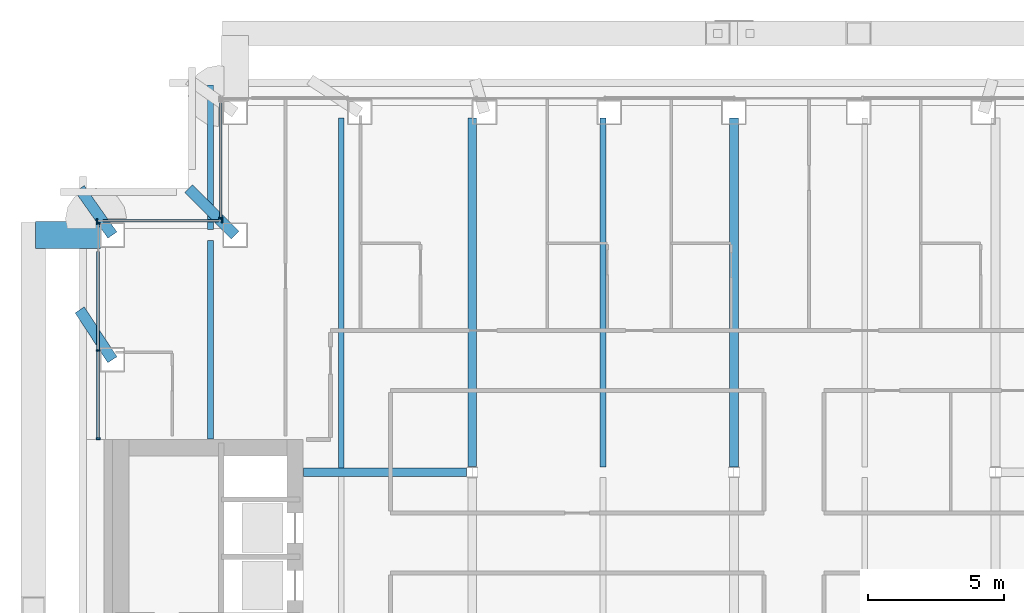
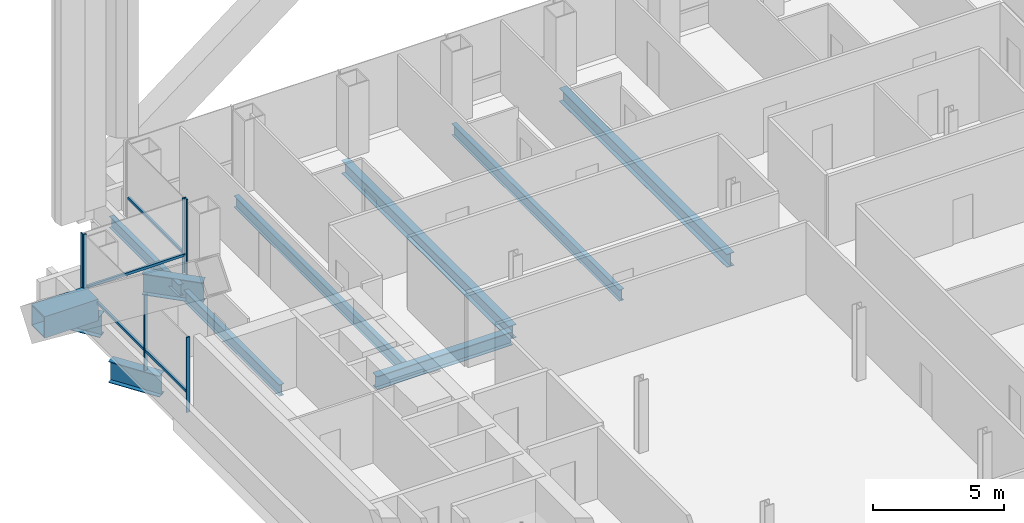
# One storey, part 7 of 22: 11 beams, 10 members, 3 elements without a shape of their own.
"""IFC4 building model written with IfcOpenShell, lengths in metres."""

from ifc_helpers import new_model, si_unit, direction, frame, origin, origin_2d, place, context, subcontext, project, spatial, rectangle, hollow_rectangle, i_section, extrude, material, material_profile, profile_set, type_object, element, aggregate, save


model = new_model("IFC4")

# Units and contexts
model_context = context("Model", 3, precision=1e-05, world=origin(), true_north=direction((0.0, 1.0)))
body_context = subcontext(model_context, "Body", "Model", "MODEL_VIEW")
ifc_project = project(units=[si_unit("LENGTHUNIT", "METRE"), si_unit("AREAUNIT", "SQUARE_METRE"), si_unit("VOLUMEUNIT", "CUBIC_METRE"), si_unit("PLANEANGLEUNIT", "RADIAN"), si_unit("MASSUNIT", "GRAM", prefix="KILO")], contexts=[model_context])

# Site, building, storey
site_placement = place(None, origin())
site = spatial("IfcSite", under=ifc_project, at=site_placement, CompositionType="ELEMENT")
building_placement = place(site_placement, origin())
building = spatial("IfcBuilding", under=site, at=building_placement, Name="Cobrizo Arcos Hotel Tower", CompositionType="ELEMENT")
storey_placement = place(building_placement, frame((0.0, 0.0, 89.0)))
storey = spatial("IfcBuildingStorey", under=building, at=storey_placement, Name="L21", CompositionType="ELEMENT", Elevation=89.0)

# Beam
ifc_material_1 = material(Name="Steel ASTM A572 Grade 50", Category="steel")
ifc_material_profile_1 = material_profile(ifc_material_1, hollow_rectangle(XDim=1.0, YDim=1.0, WallThickness=0.06005859375, at=origin_2d()), Name="BOX 1000X1000X60")
ifc_profile_set_1 = profile_set([ifc_material_profile_1], Name="Steel ASTM A572 Grade 50")
beam_type_1 = type_object("IfcBeamType", Name="BOX 1000X1000X60 brace connector strut", PredefinedType="BEAM", material=ifc_profile_set_1)
beam_1_placement = place(storey_placement, frame((-23.239990234375, 18.300048828125, 0.5), z_axis=(-1.0, 0.0, 0.0), x_axis=(0.0, -1.0, 0.0)))
element("IfcBeam", 1, at=beam_1_placement, inside=storey, type_object=beam_type_1, Name="Perimeter brace stub BS1, zone Z2, west face, offset +18.30 m, L21", PredefinedType="BEAM", context=body_context, shape_type="SweptSolid", body=[
    extrude(hollow_rectangle(XDim=1.0, YDim=1.0, WallThickness=0.06005859375, at=origin_2d()), origin(), (0.0, 0.0, 1.0), 2.380126953125),
])

# Curtain wall, member
ifc_material_2 = material(Name="Aluminium 6063-T6 anodised bronze", Category="aluminium")
curtain_wall_type = type_object("IfcCurtainWallType", Name="CW-A guest facade", PredefinedType="NOTDEFINED", material=ifc_material_2)
curtain_wall_1_placement = place(storey_placement, origin())
curtain_wall_1 = element("IfcCurtainWall", 2, at=curtain_wall_1_placement, inside=storey, type_object=curtain_wall_type, Name="CW-A L21 W face", PredefinedType="NOTDEFINED")
ifc_material_profile_2 = material_profile(ifc_material_2, rectangle(XDim=0.14990234375, YDim=0.06005859375, at=origin_2d()), Name="CW-A mullion 150x60")
ifc_profile_set_2 = profile_set([ifc_material_profile_2], Name="Aluminium 6063-T6 anodised bronze")
member_type_1 = type_object("IfcMemberType", Name="CW-A mullion 150x60", PredefinedType="MULLION", material=ifc_profile_set_2)
member_1_placement = place(storey_placement, frame((-18.824951171875, 18.929931640625, 0.0), z_axis=(0.0, 0.0, 1.0), x_axis=(-1.0, 0.0, 0.0)))
member_1 = element("IfcMember", 3, at=member_1_placement, type_object=member_type_1, Name="CW-A mullion 2", PredefinedType="MULLION", context=body_context, shape_type="SweptSolid", body=[
    extrude(rectangle(XDim=0.14990234375, YDim=0.06005859375, at=origin_2d()), origin(), (0.0, 0.0, 1.0), 3.5),
])

# Curtain wall, members
curtain_wall_2_placement = place(storey_placement, origin())
curtain_wall_2 = element("IfcCurtainWall", 4, at=curtain_wall_2_placement, inside=storey, type_object=curtain_wall_type, Name="CW-A L21 N face", PredefinedType="NOTDEFINED")
member_2_placement = place(storey_placement, frame((-18.780029296875, 18.824951171875, 0.0), z_axis=(0.0, 0.0, 1.0), x_axis=(0.0, 1.0, 0.0)))
member_2 = element("IfcMember", 5, at=member_2_placement, type_object=member_type_1, Name="CW-A mullion 1", PredefinedType="MULLION", context=body_context, shape_type="SweptSolid", body=[
    extrude(rectangle(XDim=0.14990234375, YDim=0.06005859375, at=origin_2d()), origin(), (0.0, 0.0, 1.0), 3.5),
])
member_3_placement = place(storey_placement, frame((-23.3701171875, 18.824951171875, 0.0), z_axis=(0.0, 0.0, 1.0), x_axis=(0.0, 1.0, 0.0)))
member_3 = element("IfcMember", 6, at=member_3_placement, type_object=member_type_1, Name="CW-A mullion 2", PredefinedType="MULLION", context=body_context, shape_type="SweptSolid", body=[
    extrude(rectangle(XDim=0.14990234375, YDim=0.06005859375, at=origin_2d()), origin(), (0.0, 0.0, 1.0), 3.5),
])

curtain_wall_3_placement = place(storey_placement, origin())
curtain_wall_3 = element("IfcCurtainWall", 7, at=curtain_wall_3_placement, inside=storey, type_object=curtain_wall_type, Name="CW-A L21 W face", PredefinedType="NOTDEFINED")
member_4_placement = place(storey_placement, frame((-23.324951171875, 18.719970703125, 0.0), z_axis=(0.0, 0.0, 1.0), x_axis=(-1.0, 0.0, 0.0)))
member_4 = element("IfcMember", 8, at=member_4_placement, type_object=member_type_1, Name="CW-A mullion 1", PredefinedType="MULLION", context=body_context, shape_type="SweptSolid", body=[
    extrude(rectangle(XDim=0.14990234375, YDim=0.06005859375, at=origin_2d()), origin(), (0.0, 0.0, 1.0), 3.5),
])
member_5_placement = place(storey_placement, frame((-23.324951171875, 14.0625, 0.0), z_axis=(0.0, 0.0, 1.0), x_axis=(-1.0, 0.0, 0.0)))
member_5 = element("IfcMember", 9, at=member_5_placement, type_object=member_type_1, Name="CW-A mullion 2", PredefinedType="MULLION", context=body_context, shape_type="SweptSolid", body=[
    extrude(rectangle(XDim=0.14990234375, YDim=0.06005859375, at=origin_2d()), origin(), (0.0, 0.0, 1.0), 3.5),
])
member_6_placement = place(storey_placement, frame((-23.324951171875, 10.830078125, 0.0), z_axis=(0.0, 0.0, 1.0), x_axis=(-1.0, 0.0, 0.0)))
member_6 = element("IfcMember", 10, at=member_6_placement, type_object=member_type_1, Name="CW-A mullion 3", PredefinedType="MULLION", context=body_context, shape_type="SweptSolid", body=[
    extrude(rectangle(XDim=0.14990234375, YDim=0.06005859375, at=origin_2d()), origin(), (0.0, 0.0, 1.0), 3.5),
])

# Member
ifc_material_profile_3 = material_profile(ifc_material_2, rectangle(XDim=0.10009765625, YDim=0.1201171875, at=origin_2d()), Name="CW-A transom 120x100")
ifc_profile_set_3 = profile_set([ifc_material_profile_3], Name="Aluminium 6063-T6 anodised bronze")
member_type_2 = type_object("IfcMemberType", Name="CW-A transom 120x100", PredefinedType="USERDEFINED", material=ifc_profile_set_3)
member_7_placement = place(storey_placement, frame((-18.824951171875, 23.139892578125, 0.929931640625), z_axis=(0.0, -1.0, 0.0), x_axis=(1.0, 0.0, 0.0)))
member_7 = element("IfcMember", 11, at=member_7_placement, type_object=member_type_2, Name="CW-A transom 875", ObjectType="TRANSOM", PredefinedType="USERDEFINED", context=body_context, shape_type="SweptSolid", body=[
    extrude(rectangle(XDim=0.10009765625, YDim=0.1201171875, at=origin_2d()), origin(), (0.0, 0.0, 1.0), 4.179931640625),
])

aggregate(curtain_wall_1, [member_1, member_7])

member_8_placement = place(storey_placement, frame((-18.89990234375, 18.824951171875, 0.929931640625), z_axis=(-1.0, 0.0, 0.0), x_axis=(0.0, -1.0, 0.0)))
member_8 = element("IfcMember", 12, at=member_8_placement, type_object=member_type_2, Name="CW-A transom 876", ObjectType="TRANSOM", PredefinedType="USERDEFINED", context=body_context, shape_type="SweptSolid", body=[
    extrude(rectangle(XDim=0.10009765625, YDim=0.1201171875, at=origin_2d()), origin(), (0.0, 0.0, 1.0), 4.239990234375),
])

aggregate(curtain_wall_2, [member_2, member_3, member_8])

member_9_placement = place(storey_placement, frame((-23.324951171875, 17.699951171875, 0.929931640625), z_axis=(0.0, -1.0, 0.0), x_axis=(1.0, 0.0, 0.0)))
member_9 = element("IfcMember", 13, at=member_9_placement, type_object=member_type_2, Name="CW-A transom 877", ObjectType="TRANSOM", PredefinedType="USERDEFINED", context=body_context, shape_type="SweptSolid", body=[
    extrude(rectangle(XDim=0.10009765625, YDim=0.1201171875, at=origin_2d()), origin(), (0.0, 0.0, 1.0), 3.607421875),
])

member_10_placement = place(storey_placement, frame((-23.324951171875, 14.032470703125, 0.929931640625), z_axis=(0.0, -1.0, 0.0), x_axis=(1.0, 0.0, 0.0)))
member_10 = element("IfcMember", 14, at=member_10_placement, type_object=member_type_2, Name="CW-A transom 878", ObjectType="TRANSOM", PredefinedType="USERDEFINED", context=body_context, shape_type="SweptSolid", body=[
    extrude(rectangle(XDim=0.10009765625, YDim=0.1201171875, at=origin_2d()), origin(), (0.0, 0.0, 1.0), 3.17236328125),
])

aggregate(curtain_wall_3, [member_4, member_5, member_6, member_9, member_10])

# Beams
ifc_material_3 = material(Name="Steel ASTM A992 Grade 50", Category="steel")
ifc_material_profile_4 = material_profile(ifc_material_3, i_section(OverallWidth=0.209228515625, OverallDepth=0.533447265625, WebThickness=0.01025390625, FlangeThickness=0.015625, at=origin_2d()), Name="W21X62")
ifc_profile_set_4 = profile_set([ifc_material_profile_4], Name="Steel ASTM A992 Grade 50")
beam_type_2 = type_object("IfcBeamType", Name="W21X62 joist", PredefinedType="JOIST", material=ifc_profile_set_4)
beam_2_placement = place(storey_placement, frame((-19.199951171875, 10.81005859375, -0.416748046875), z_axis=(0.0, 1.0, 0.0), x_axis=(-1.0, 0.0, 0.0)))
element("IfcBeam", 15, at=beam_2_placement, inside=storey, type_object=beam_type_2, Name="Floor joist J1, L21, no. 003", PredefinedType="JOIST", context=body_context, shape_type="SweptSolid", body=[
    extrude(i_section(OverallWidth=0.209228515625, OverallDepth=0.533447265625, WebThickness=0.01025390625, FlangeThickness=0.015625, at=origin_2d()), origin(), (0.0, 0.0, 1.0), 7.28955078125),
])
beam_3_placement = place(storey_placement, frame((-19.199951171875, 18.50048828125, -0.416748046875), z_axis=(0.0, 1.0, 0.0), x_axis=(-1.0, 0.0, 0.0)))
element("IfcBeam", 16, at=beam_3_placement, inside=storey, type_object=beam_type_2, Name="Floor joist J1, L21, no. 004", PredefinedType="JOIST", context=body_context, shape_type="SweptSolid", body=[
    extrude(i_section(OverallWidth=0.209228515625, OverallDepth=0.533447265625, WebThickness=0.01025390625, FlangeThickness=0.015625, at=origin_2d()), origin(), (0.0, 0.0, 1.0), 5.299072265625),
])
beam_4_placement = place(storey_placement, frame((-14.39990234375, 9.763916015625, -0.416748046875), z_axis=(0.0, 1.0, 0.0), x_axis=(-1.0, 0.0, 0.0)))
element("IfcBeam", 17, at=beam_4_placement, inside=storey, type_object=beam_type_2, Name="Floor joist J1, L21, no. 008", PredefinedType="JOIST", context=body_context, shape_type="SweptSolid", body=[
    extrude(i_section(OverallWidth=0.209228515625, OverallDepth=0.533447265625, WebThickness=0.01025390625, FlangeThickness=0.015625, at=origin_2d()), origin(), (0.0, 0.0, 1.0), 12.835693359375),
])
beam_5_placement = place(storey_placement, frame((-4.800048828125, 9.800537109375, -0.416748046875), z_axis=(0.0, 1.0, 0.0), x_axis=(-1.0, 0.0, 0.0)))
element("IfcBeam", 18, at=beam_5_placement, inside=storey, type_object=beam_type_2, Name="Floor joist J1, L21, no. 012", PredefinedType="JOIST", context=body_context, shape_type="SweptSolid", body=[
    extrude(i_section(OverallWidth=0.209228515625, OverallDepth=0.533447265625, WebThickness=0.01025390625, FlangeThickness=0.015625, at=origin_2d()), origin(), (0.0, 0.0, 1.0), 12.799072265625),
])
ifc_material_profile_5 = material_profile(ifc_material_3, i_section(OverallWidth=0.32763671875, OverallDepth=0.622314453125, WebThickness=0.015380859375, FlangeThickness=0.0244140625, at=origin_2d()), Name="W24X131")
ifc_profile_set_5 = profile_set([ifc_material_profile_5], Name="Steel ASTM A992 Grade 50")
beam_type_3 = type_object("IfcBeamType", Name="W24X131 girder", PredefinedType="BEAM", material=ifc_profile_set_5)
beam_6_placement = place(storey_placement, frame((-15.7900390625, 9.60009765625, -0.461181640625), z_axis=(1.0, 0.0, 0.0), x_axis=(0.0, 1.0, 0.0)))
element("IfcBeam", 19, at=beam_6_placement, inside=storey, type_object=beam_type_3, Name="Floor girder G1, L21, no. 005", PredefinedType="BEAM", context=body_context, shape_type="SweptSolid", body=[
    extrude(i_section(OverallWidth=0.32763671875, OverallDepth=0.622314453125, WebThickness=0.015380859375, FlangeThickness=0.0244140625, at=origin_2d()), origin(), (0.0, 0.0, 1.0), 5.985595703125),
])
beam_7_placement = place(storey_placement, frame((-9.60009765625, 9.804443359375, -0.461181640625), z_axis=(0.0, 1.0, 0.0), x_axis=(-1.0, 0.0, 0.0)))
element("IfcBeam", 20, at=beam_7_placement, inside=storey, type_object=beam_type_3, Name="Floor girder G1, L21, no. 010", PredefinedType="BEAM", context=body_context, shape_type="SweptSolid", body=[
    extrude(i_section(OverallWidth=0.32763671875, OverallDepth=0.622314453125, WebThickness=0.015380859375, FlangeThickness=0.0244140625, at=origin_2d()), origin(), (0.0, 0.0, 1.0), 12.795166015625),
])
beam_8_placement = place(storey_placement, frame((0.0, 9.800537109375, -0.461181640625), z_axis=(0.0, 1.0, 0.0), x_axis=(-1.0, 0.0, 0.0)))
element("IfcBeam", 21, at=beam_8_placement, inside=storey, type_object=beam_type_3, Name="Floor girder G1, L21, no. 014", PredefinedType="BEAM", context=body_context, shape_type="SweptSolid", body=[
    extrude(i_section(OverallWidth=0.32763671875, OverallDepth=0.622314453125, WebThickness=0.015380859375, FlangeThickness=0.0244140625, at=origin_2d()), origin(), (0.0, 0.0, 1.0), 12.799072265625),
])
ifc_material_profile_6 = material_profile(ifc_material_3, i_section(OverallWidth=0.4013671875, OverallDepth=0.990478515625, WebThickness=0.0166015625, FlangeThickness=0.025390625, at=origin_2d()), Name="W40X215")
ifc_profile_set_6 = profile_set([ifc_material_profile_6], Name="Steel ASTM A992 Grade 50")
beam_type_4 = type_object("IfcBeamType", Name="W40X215 transfer girder", PredefinedType="BEAM", material=ifc_profile_set_6)
beam_9_placement = place(storey_placement, frame((-24.0, 15.555908203125, -0.645263671875), z_axis=(0.548171553943, -0.836365917196, 0.0), x_axis=(0.836365917196, 0.548171553943, 0.0)))
element("IfcBeam", 22, at=beam_9_placement, inside=storey, type_object=beam_type_4, Name="Setback transfer girder TG1, L21, no. 018", PredefinedType="BEAM", context=body_context, shape_type="SweptSolid", body=[
    extrude(i_section(OverallWidth=0.4013671875, OverallDepth=0.990478515625, WebThickness=0.0166015625, FlangeThickness=0.025390625, at=origin_2d()), origin(), (0.0, 0.0, 1.0), 2.18896484375),
])
beam_10_placement = place(storey_placement, frame((-24.0, 20.0, -0.645263671875), z_axis=(0.576678591087, -0.816971114901, 0.0), x_axis=(0.816971114901, 0.576678591087, 0.0)))
element("IfcBeam", 23, at=beam_10_placement, inside=storey, type_object=beam_type_4, Name="Setback transfer girder TG1, L21, no. 020", PredefinedType="BEAM", context=body_context, shape_type="SweptSolid", body=[
    extrude(i_section(OverallWidth=0.4013671875, OverallDepth=0.990478515625, WebThickness=0.0166015625, FlangeThickness=0.025390625, at=origin_2d()), origin(), (0.0, 0.0, 1.0), 2.080810546875),
])
beam_11_placement = place(storey_placement, frame((-20.0, 20.0, -0.645263671875), z_axis=(0.707106781187, -0.707106781187, 0.0), x_axis=(0.707106781187, 0.707106781187, 0.0)))
element("IfcBeam", 24, at=beam_11_placement, inside=storey, type_object=beam_type_4, Name="Setback transfer girder TG1, L21, no. 022", PredefinedType="BEAM", context=body_context, shape_type="SweptSolid", body=[
    extrude(i_section(OverallWidth=0.4013671875, OverallDepth=0.990478515625, WebThickness=0.0166015625, FlangeThickness=0.025390625, at=origin_2d()), origin(), (0.0, 0.0, 1.0), 2.404052734375),
])

save(model, "model.ifc")
